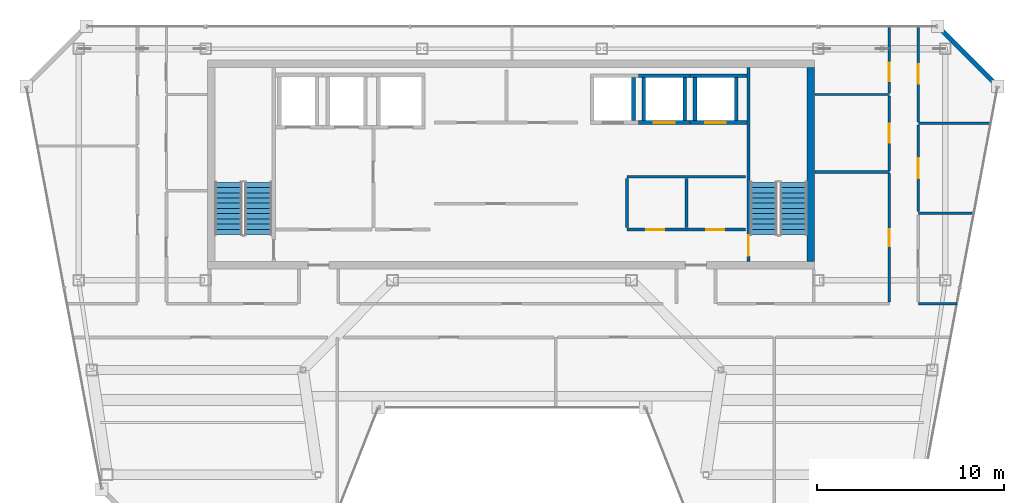
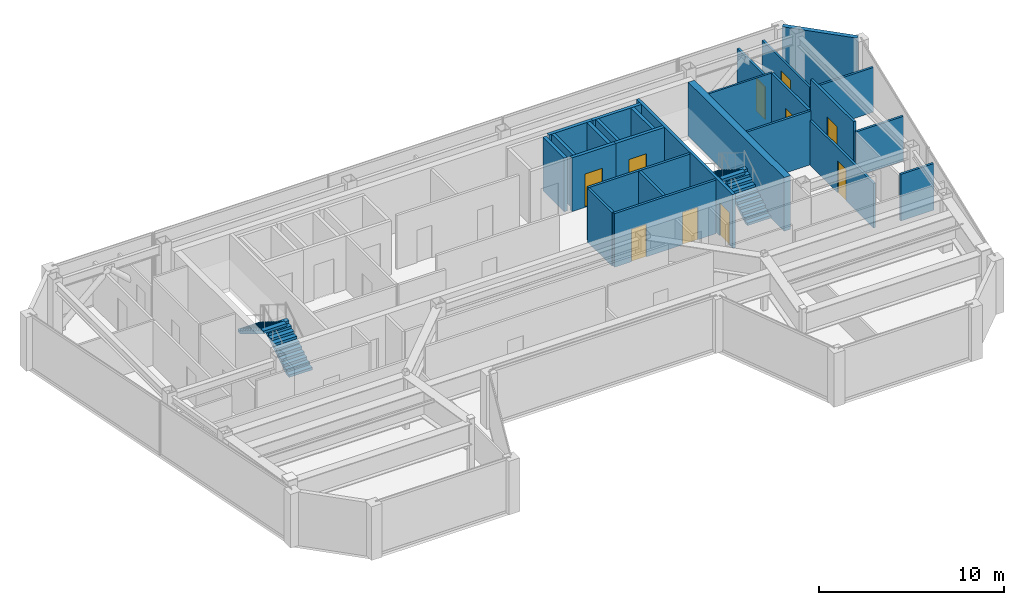
# One storey, part 21 of 23: 26 walls, 10 doors, 4 stair flights, 10 openings, 2 elements without a shape of their own.
"""IFC4 building model written with IfcOpenShell, lengths in metres."""

from ifc_helpers import new_model, si_unit, direction, frame, frame_2d, origin, place, context, subcontext, project, spatial, polyline, rectangle, outline, extrude, material, layer, layer_set, type_object, element, fill, aggregate, save


model = new_model("IFC4")

# Units and contexts
model_context = context("Model", 3, precision=1e-05, world=origin(), true_north=direction((0.0, 1.0)))
body_context = subcontext(model_context, "Body", "Model", "MODEL_VIEW")
ifc_project = project(units=[si_unit("LENGTHUNIT", "METRE"), si_unit("AREAUNIT", "SQUARE_METRE"), si_unit("VOLUMEUNIT", "CUBIC_METRE"), si_unit("PLANEANGLEUNIT", "RADIAN"), si_unit("MASSUNIT", "GRAM", prefix="KILO")], contexts=[model_context])

# Site, building, storey
site_placement = place(None, origin())
site = spatial("IfcSite", under=ifc_project, at=site_placement, CompositionType="ELEMENT")
building_placement = place(site_placement, origin())
building = spatial("IfcBuilding", under=site, at=building_placement, Name="Saevonmaru Cultural Tower", CompositionType="ELEMENT")
storey_placement = place(building_placement, frame((0.0, 0.0, 291.39990234375)))
storey = spatial("IfcBuildingStorey", under=building, at=storey_placement, Name="L69", CompositionType="ELEMENT", Elevation=291.39990234375)

# Wall
ifc_material_1 = material(Name="Concrete C50/60", Category="concrete")
ifc_layer_1 = layer(ifc_material_1, 0.39990234375, Name="Concrete C50/60")
ifc_layer_set_1 = layer_set([ifc_layer_1], Name="Concrete C50/60")
wall_type_1 = type_object("IfcWallType", Name="WL-CORE-400", PredefinedType="SHEAR", material=ifc_layer_set_1)
wall_1_placement = place(storey_placement, frame((46.0, 43.39990234375, 0.0), z_axis=(0.0, 0.0, 1.0), x_axis=(0.0, 1.0, 0.0)))
element("IfcWall", 1, at=wall_1_placement, inside=storey, type_object=wall_type_1, Name="L69 Tower RC core shear wall E", PredefinedType="SHEAR", context=body_context, shape_type="SweptSolid", body=[
    extrude(rectangle(XDim=10.400146484375, YDim=0.39990234375, at=frame_2d((5.2001953125, 0.0))), origin(), (0.0, 0.0, 1.0), 3.550048828125),
])

# Wall, openings, doors
ifc_material_2 = material(Name="Gypsum Fireboard Partition", Category="gypsum")
ifc_layer_2 = layer(ifc_material_2, 0.14990234375, Name="Gypsum Fireboard Partition")
ifc_layer_set_2 = layer_set([ifc_layer_2], Name="Gypsum Fireboard Partition")
wall_type_2 = type_object("IfcWallType", Name="WL-CORE-PART-150", PredefinedType="PARTITIONING", material=ifc_layer_set_2)
wall_2_placement = place(storey_placement, frame((36.14990234375, 45.1201171875, 0.0), z_axis=(0.0, 0.0, 1.0), x_axis=(1.0, 0.0, 0.0)))
wall_2 = element("IfcWall", 2, at=wall_2_placement, inside=storey, type_object=wall_type_2, Name="L69 Core Cluster South Wall", PredefinedType="PARTITIONING", context=body_context, shape_type="SweptSolid", body=[
    extrude(rectangle(XDim=6.35009765625, YDim=0.14990234375, at=frame_2d((3.175048828125, 0.0))), origin(), (0.0, 0.0, 1.0), 3.550048828125),
])
opening_1_placement = place(wall_2_placement, frame((1.050048828125, 0.0, 0.0)))
opening_1 = element("IfcOpeningElement", 3, at=opening_1_placement, cuts=wall_2, Name="Opening FD-4", PredefinedType="OPENING", context=body_context, shape_type="SweptSolid", body=[
    extrude(rectangle(XDim=0.949951171875, YDim=2.14990234375, at=frame_2d((0.47509765625, 1.074951171875))), frame((0.0, 0.0849609375, 0.0), z_axis=(0.0, -1.0, 0.0), x_axis=(1.0, 0.0, 0.0)), (0.0, 0.0, 1.0), 0.169921875),
])
opening_2_placement = place(wall_2_placement, frame((4.25, 0.0, 0.0)))
opening_2 = element("IfcOpeningElement", 4, at=opening_2_placement, cuts=wall_2, Name="Opening FD-4", PredefinedType="OPENING", context=body_context, shape_type="SweptSolid", body=[
    extrude(rectangle(XDim=0.949951171875, YDim=2.14990234375, at=frame_2d((0.47509765625, 1.074951171875))), frame((0.0, 0.0849609375, 0.0), z_axis=(0.0, -1.0, 0.0), x_axis=(1.0, 0.0, 0.0)), (0.0, 0.0, 1.0), 0.169921875),
])
ifc_material_3 = material(Name="Satin Bronze Anodised Aluminium", Category="aluminium")
door_type_1 = type_object("IfcDoorType", Name="DR-FD60-950", OperationType="SINGLE_SWING_LEFT", PredefinedType="DOOR", material=ifc_material_3)
door_1_placement = place(opening_1_placement, origin())
door_1 = element("IfcDoor", 5, at=door_1_placement, inside=storey, type_object=door_type_1, Name="L69 BMS Control Room Door", OperationType="SINGLE_SWING_LEFT", OverallHeight=2.14990234375, OverallWidth=0.949951171875, PredefinedType="DOOR", context=body_context, shape_type="SweptSolid", body=[
    extrude(rectangle(XDim=0.949951171875, YDim=2.14990234375, at=frame_2d((0.47509765625, 1.074951171875))), frame((0.0, 0.02490234375, 0.0), z_axis=(0.0, -1.0, 0.0), x_axis=(1.0, 0.0, 0.0)), (0.0, 0.0, 1.0), 0.050048828125),
])
fill(opening_1, door_1)
door_2_placement = place(opening_2_placement, origin())
door_2 = element("IfcDoor", 6, at=door_2_placement, inside=storey, type_object=door_type_1, Name="L69 Fibre Node Plant Door", OperationType="SINGLE_SWING_LEFT", OverallHeight=2.14990234375, OverallWidth=0.949951171875, PredefinedType="DOOR", context=body_context, shape_type="SweptSolid", body=[
    extrude(rectangle(XDim=0.949951171875, YDim=2.14990234375, at=frame_2d((0.47509765625, 1.074951171875))), frame((0.0, 0.02490234375, 0.0), z_axis=(0.0, -1.0, 0.0), x_axis=(1.0, 0.0, 0.0)), (0.0, 0.0, 1.0), 0.050048828125),
])
fill(opening_2, door_2)

# Walls
wall_3_placement = place(storey_placement, frame((36.14990234375, 47.949951171875, 0.0), z_axis=(0.0, 0.0, 1.0), x_axis=(1.0, 0.0, 0.0)))
element("IfcWall", 7, at=wall_3_placement, inside=storey, type_object=wall_type_2, Name="L69 Core Cluster North Wall", PredefinedType="PARTITIONING", context=body_context, shape_type="SweptSolid", body=[
    extrude(rectangle(XDim=6.35009765625, YDim=0.14990234375, at=frame_2d((3.175048828125, 0.0))), origin(), (0.0, 0.0, 1.0), 3.550048828125),
])
for number, where, z_axis, x_axis, name in (
    (8, (36.14990234375, 45.219970703125, 0.0), (0.0, 0.0, 1.0), (0.0, 1.0, 0.0), "L69 Core Cluster West Wall"),
    (9, (39.35009765625, 45.219970703125, 0.0), (0.0, 0.0, 1.0), (0.0, 1.0, 0.0), "L69 Core Cluster Inner Split"),
):
    element("IfcWall", number, at=place(storey_placement, frame(where, z_axis=z_axis, x_axis=x_axis)), inside=storey, type_object=wall_type_2, Name=name, PredefinedType="PARTITIONING", context=body_context, shape_type="SweptSolid", body=[
        extrude(rectangle(XDim=2.630126953125, YDim=0.14990234375, at=frame_2d((1.31494140625, 0.0))), origin(), (0.0, 0.0, 1.0), 3.550048828125),
    ])
ifc_material_4 = material(Name="Granite-Clad Precast Concrete C40/50", Category="masonry")
ifc_layer_3 = layer(ifc_material_4, 0.260009765625, Name="Granite-Clad Precast Concrete C40/50")
ifc_layer_set_3 = layer_set([ifc_layer_3], Name="Granite-Clad Precast Concrete C40/50")
wall_type_3 = type_object("IfcWallType", Name="WL-EXT-SPANDREL-260", PredefinedType="STANDARD", material=ifc_layer_set_3)
wall_4_placement = place(storey_placement, frame((55.886962890625, 52.9130859375, 0.0), z_axis=(0.0, 0.0, 1.0), x_axis=(-0.707106781187, 0.707106781187, 0.0)))
element("IfcWall", 10, at=wall_4_placement, inside=storey, type_object=wall_type_3, Name="L69 Chamfer Corner Spandrel Wall E9", PredefinedType="STANDARD", context=body_context, shape_type="SweptSolid", body=[
    extrude(rectangle(XDim=4.205810546875, YDim=0.260009765625, at=frame_2d((2.10302734375, 0.0))), origin(), (0.0, 0.0, 1.0), 3.550048828125),
])

# Wall, opening, door
ifc_layer_4 = layer(ifc_material_2, 0.14990234375, Name="Gypsum Fireboard Partition")
ifc_layer_set_4 = layer_set([ifc_layer_4], Name="Gypsum Fireboard Partition")
wall_type_4 = type_object("IfcWallType", Name="WL-PART-FIRE-150", PredefinedType="PARTITIONING", material=ifc_layer_set_4)
wall_5_placement = place(storey_placement, frame((50.199951171875, 48.2900390625, 0.0), z_axis=(0.0, 0.0, 1.0), x_axis=(0.0, 1.0, 0.0)))
wall_5 = element("IfcWall", 11, at=wall_5_placement, inside=storey, type_object=wall_type_4, Name="L69 Acoustic Chamber Auditorium Corridor Wall", PredefinedType="PARTITIONING", context=body_context, shape_type="SweptSolid", body=[
    extrude(rectangle(XDim=3.97998046875, YDim=0.14990234375, at=frame_2d((1.989990234375, 0.0))), origin(), (0.0, 0.0, 1.0), 3.550048828125),
])
opening_3_placement = place(wall_5_placement, frame((1.489990234375, 0.0, 0.0)))
opening_3 = element("IfcOpeningElement", 12, at=opening_3_placement, cuts=wall_5, Name="Opening ID-1B", PredefinedType="OPENING", context=body_context, shape_type="SweptSolid", body=[
    extrude(rectangle(XDim=1.0, YDim=2.14990234375, at=frame_2d((0.5, 1.074951171875))), frame((0.0, 0.0849609375, 0.0), z_axis=(0.0, -1.0, 0.0), x_axis=(1.0, 0.0, 0.0)), (0.0, 0.0, 1.0), 0.169921875),
])
ifc_material_5 = material(Name="Acoustic Stained Oak Timber", Category="wood")
door_type_2 = type_object("IfcDoorType", Name="DR-INT-1000", OperationType="SINGLE_SWING_RIGHT", PredefinedType="DOOR", material=ifc_material_5)
door_3_placement = place(opening_3_placement, origin())
door_3 = element("IfcDoor", 13, at=door_3_placement, inside=storey, type_object=door_type_2, Name="L69 Acoustic Chamber Auditorium Door", OperationType="SINGLE_SWING_LEFT", OverallHeight=2.14990234375, OverallWidth=1.0, PredefinedType="DOOR", context=body_context, shape_type="SweptSolid", body=[
    extrude(rectangle(XDim=1.0, YDim=2.14990234375, at=frame_2d((0.5, 1.074951171875))), frame((0.0, 0.02490234375, 0.0), z_axis=(0.0, -1.0, 0.0), x_axis=(1.0, 0.0, 0.0)), (0.0, 0.0, 1.0), 0.050048828125),
])
fill(opening_3, door_3)

wall_6_placement = place(storey_placement, frame((50.199951171875, 52.429931640625, 0.0), z_axis=(0.0, 0.0, 1.0), x_axis=(0.0, 1.0, 0.0)))
wall_6 = element("IfcWall", 14, at=wall_6_placement, inside=storey, type_object=wall_type_4, Name="L69 Sound Art Screening Auditorium Corridor Wall", PredefinedType="PARTITIONING", context=body_context, shape_type="SweptSolid", body=[
    extrude(rectangle(XDim=3.565185546875, YDim=0.14990234375, at=frame_2d((1.78271484375, 0.0))), origin(), (0.0, 0.0, 1.0), 2.93505859375),
])
opening_4_placement = place(wall_6_placement, frame((0.6220703125, 0.0, 0.0)))
opening_4 = element("IfcOpeningElement", 15, at=opening_4_placement, cuts=wall_6, Name="Opening ID-1B", PredefinedType="OPENING", context=body_context, shape_type="SweptSolid", body=[
    extrude(rectangle(XDim=1.0, YDim=2.14990234375, at=frame_2d((0.5, 1.074951171875))), frame((0.0, 0.0849609375, 0.0), z_axis=(0.0, -1.0, 0.0), x_axis=(1.0, 0.0, 0.0)), (0.0, 0.0, 1.0), 0.169921875),
])
door_4_placement = place(opening_4_placement, origin())
door_4 = element("IfcDoor", 16, at=door_4_placement, inside=storey, type_object=door_type_2, Name="L69 Sound Art Screening Auditorium Door", OperationType="SINGLE_SWING_RIGHT", OverallHeight=2.14990234375, OverallWidth=1.0, PredefinedType="DOOR", context=body_context, shape_type="SweptSolid", body=[
    extrude(rectangle(XDim=1.0, YDim=2.14990234375, at=frame_2d((0.5, 1.074951171875))), frame((0.0, 0.02490234375, 0.0), z_axis=(0.0, -1.0, 0.0), x_axis=(1.0, 0.0, 0.0)), (0.0, 0.0, 1.0), 0.050048828125),
])
fill(opening_4, door_4)

wall_7_placement = place(storey_placement, frame((51.75, 46.08740234375, 0.0), z_axis=(0.0, 0.0, 1.0), x_axis=(0.0, 1.0, 0.0)))
wall_7 = element("IfcWall", 17, at=wall_7_placement, inside=storey, type_object=wall_type_4, Name="L69 Sky Observatory Gallery Corridor Wall", PredefinedType="PARTITIONING", context=body_context, shape_type="SweptSolid", body=[
    extrude(rectangle(XDim=4.625, YDim=0.14990234375, at=frame_2d((2.3125, 0.0))), origin(), (0.0, 0.0, 1.0), 3.550048828125),
])
opening_5_placement = place(wall_7_placement, frame((1.7880859375, 0.0, 0.0)))
opening_5 = element("IfcOpeningElement", 18, at=opening_5_placement, cuts=wall_7, Name="Opening ID-1", PredefinedType="OPENING", context=body_context, shape_type="SweptSolid", body=[
    extrude(rectangle(XDim=1.050048828125, YDim=2.14990234375, at=frame_2d((0.52490234375, 1.074951171875))), frame((0.0, 0.0849609375, 0.0), z_axis=(0.0, -1.0, 0.0), x_axis=(1.0, 0.0, 0.0)), (0.0, 0.0, 1.0), 0.169921875),
])
door_type_3 = type_object("IfcDoorType", Name="DR-INT-1050", OperationType="SINGLE_SWING_LEFT", PredefinedType="DOOR", material=ifc_material_3)
door_5_placement = place(opening_5_placement, origin())
door_5 = element("IfcDoor", 19, at=door_5_placement, inside=storey, type_object=door_type_3, Name="L69 Sky Observatory Gallery Door", OperationType="SINGLE_SWING_LEFT", OverallHeight=2.14990234375, OverallWidth=1.050048828125, PredefinedType="DOOR", context=body_context, shape_type="SweptSolid", body=[
    extrude(rectangle(XDim=1.050048828125, YDim=2.14990234375, at=frame_2d((0.52490234375, 1.074951171875))), frame((0.0, 0.02490234375, 0.0), z_axis=(0.0, -1.0, 0.0), x_axis=(1.0, 0.0, 0.0)), (0.0, 0.0, 1.0), 0.050048828125),
])
fill(opening_5, door_5)

# Wall
ifc_layer_5 = layer(ifc_material_2, 0.1201171875, Name="Gypsum Fireboard Partition")
ifc_layer_set_5 = layer_set([ifc_layer_5], Name="Gypsum Fireboard Partition")
wall_type_5 = type_object("IfcWallType", Name="WL-PART-GYP-120", PredefinedType="PARTITIONING", material=ifc_layer_set_5)
wall_8_placement = place(storey_placement, frame((46.219970703125, 52.35009765625, 0.0), z_axis=(0.0, 0.0, 1.0), x_axis=(1.0, 0.0, 0.0)))
element("IfcWall", 20, at=wall_8_placement, inside=storey, type_object=wall_type_5, Name="L69 North-East Panorama South Wall", PredefinedType="PARTITIONING", context=body_context, shape_type="SweptSolid", body=[
    extrude(rectangle(XDim=3.97998046875, YDim=0.1201171875, at=frame_2d((1.989990234375, 0.0))), origin(), (0.0, 0.0, 1.0), 3.550048828125),
])

# Wall, opening, door
wall_9_placement = place(storey_placement, frame((51.75, 50.887451171875, 0.0), z_axis=(0.0, 0.0, 1.0), x_axis=(0.0, 1.0, 0.0)))
wall_9 = element("IfcWall", 21, at=wall_9_placement, inside=storey, type_object=wall_type_5, Name="L69 Panorama Reading Room Corridor Wall", PredefinedType="PARTITIONING", context=body_context, shape_type="SweptSolid", body=[
    extrude(rectangle(XDim=5.107666015625, YDim=0.1201171875, at=frame_2d((2.5537109375, 0.0))), origin(), (0.0, 0.0, 1.0), 2.93505859375),
])
opening_6_placement = place(wall_9_placement, frame((2.029052734375, 0.0, 0.0)))
opening_6 = element("IfcOpeningElement", 22, at=opening_6_placement, cuts=wall_9, Name="Opening ID-1", PredefinedType="OPENING", context=body_context, shape_type="SweptSolid", body=[
    extrude(rectangle(XDim=1.050048828125, YDim=2.14990234375, at=frame_2d((0.52490234375, 1.074951171875))), frame((0.0, 0.070068359375, 0.0), z_axis=(0.0, -1.0, 0.0), x_axis=(1.0, 0.0, 0.0)), (0.0, 0.0, 1.0), 0.14013671875),
])
door_6_placement = place(opening_6_placement, origin())
door_6 = element("IfcDoor", 23, at=door_6_placement, inside=storey, type_object=door_type_3, Name="L69 Panorama Reading Room Door", OperationType="SINGLE_SWING_RIGHT", OverallHeight=2.14990234375, OverallWidth=1.050048828125, PredefinedType="DOOR", context=body_context, shape_type="SweptSolid", body=[
    extrude(rectangle(XDim=1.050048828125, YDim=2.14990234375, at=frame_2d((0.52490234375, 1.074951171875))), frame((0.0, 0.02490234375, 0.0), z_axis=(0.0, -1.0, 0.0), x_axis=(1.0, 0.0, 0.0)), (0.0, 0.0, 1.0), 0.050048828125),
])
fill(opening_6, door_6)

# Walls
ifc_layer_6 = layer(ifc_material_2, 0.135009765625, Name="Gypsum Fireboard Partition")
ifc_layer_set_6 = layer_set([ifc_layer_6], Name="Gypsum Fireboard Partition")
wall_type_6 = type_object("IfcWallType", Name="WL-PART-GYP-135", PredefinedType="PARTITIONING", material=ifc_layer_set_6)
wall_10_placement = place(storey_placement, frame((51.75, 41.14990234375, 0.0), z_axis=(0.0, 0.0, 1.0), x_axis=(1.0, 0.0, 0.0)))
element("IfcWall", 24, at=wall_10_placement, inside=storey, type_object=wall_type_6, Name="L69 NE Wing South Wall", PredefinedType="PARTITIONING", context=body_context, shape_type="SweptSolid", body=[
    extrude(rectangle(XDim=2.063720703125, YDim=0.135009765625, at=frame_2d((1.03173828125, 0.0))), origin(), (0.0, 0.0, 1.0), 3.085205078125),
])
wall_11_placement = place(storey_placement, frame((51.75, 46.0, 0.0), z_axis=(0.0, 0.0, 1.0), x_axis=(1.0, 0.0, 0.0)))
element("IfcWall", 25, at=wall_11_placement, inside=storey, type_object=wall_type_6, Name="L69 NE Studio Divider 1", PredefinedType="PARTITIONING", context=body_context, shape_type="SweptSolid", body=[
    extrude(rectangle(XDim=2.9716796875, YDim=0.135009765625, at=frame_2d((1.48583984375, 0.0))), origin(), (0.0, 0.0, 1.0), 2.947021484375),
])
wall_12_placement = place(storey_placement, frame((51.75, 50.800048828125, 0.0), z_axis=(0.0, 0.0, 1.0), x_axis=(1.0, 0.0, 0.0)))
element("IfcWall", 26, at=wall_12_placement, inside=storey, type_object=wall_type_6, Name="L69 NE Studio Divider 2", PredefinedType="PARTITIONING", context=body_context, shape_type="SweptSolid", body=[
    extrude(rectangle(XDim=3.870361328125, YDim=0.135009765625, at=frame_2d((1.93505859375, 0.0))), origin(), (0.0, 0.0, 1.0), 2.947021484375),
])
ifc_layer_7 = layer(ifc_material_2, 0.139892578125, Name="Gypsum Fireboard Partition")
ifc_layer_set_7 = layer_set([ifc_layer_7], Name="Gypsum Fireboard Partition")
wall_type_7 = type_object("IfcWallType", Name="WL-PART-WET-140", PredefinedType="PARTITIONING", material=ifc_layer_set_7)
wall_13_placement = place(storey_placement, frame((46.219970703125, 48.199951171875, 0.0), z_axis=(0.0, 0.0, 1.0), x_axis=(1.0, 0.0, 0.0)))
element("IfcWall", 27, at=wall_13_placement, inside=storey, type_object=wall_type_7, Name="L69 Washroom North Wall", PredefinedType="PARTITIONING", context=body_context, shape_type="SweptSolid", body=[
    extrude(rectangle(XDim=3.97998046875, YDim=0.139892578125, at=frame_2d((1.989990234375, 0.0))), origin(), (0.0, 0.0, 1.0), 3.550048828125),
])

# Wall, opening, door
wall_14_placement = place(storey_placement, frame((50.199951171875, 41.239990234375, 0.0), z_axis=(0.0, 0.0, 1.0), x_axis=(0.0, 1.0, 0.0)))
wall_14 = element("IfcWall", 28, at=wall_14_placement, inside=storey, type_object=wall_type_7, Name="L69 Washroom Corridor Wall", PredefinedType="PARTITIONING", context=body_context, shape_type="SweptSolid", body=[
    extrude(rectangle(XDim=6.8701171875, YDim=0.139892578125, at=frame_2d((3.43505859375, 0.0))), origin(), (0.0, 0.0, 1.0), 2.947021484375),
])
opening_7_placement = place(wall_14_placement, frame((2.985107421875, 0.0, 0.0)))
opening_7 = element("IfcOpeningElement", 29, at=opening_7_placement, cuts=wall_14, Name="Opening ID-2", PredefinedType="OPENING", context=body_context, shape_type="SweptSolid", body=[
    extrude(rectangle(XDim=0.89990234375, YDim=2.10009765625, at=frame_2d((0.449951171875, 1.050048828125))), frame((0.0, 0.080078125, 0.0), z_axis=(0.0, -1.0, 0.0), x_axis=(1.0, 0.0, 0.0)), (0.0, 0.0, 1.0), 0.159912109375),
])
door_type_4 = type_object("IfcDoorType", Name="DR-INT-900", OperationType="SINGLE_SWING_RIGHT", PredefinedType="DOOR", material=ifc_material_5)
door_7_placement = place(opening_7_placement, origin())
door_7 = element("IfcDoor", 30, at=door_7_placement, inside=storey, type_object=door_type_4, Name="L69 Public Accessible Washrooms Door", OperationType="SINGLE_SWING_RIGHT", OverallHeight=2.10009765625, OverallWidth=0.89990234375, PredefinedType="DOOR", context=body_context, shape_type="SweptSolid", body=[
    extrude(rectangle(XDim=0.89990234375, YDim=2.10009765625, at=frame_2d((0.449951171875, 1.050048828125))), frame((0.0, 0.02490234375, 0.0), z_axis=(0.0, -1.0, 0.0), x_axis=(1.0, 0.0, 0.0)), (0.0, 0.0, 1.0), 0.050048828125),
])
fill(opening_7, door_7)

# Wall
ifc_material_6 = material(Name="Concrete C40/50", Category="concrete")
ifc_layer_8 = layer(ifc_material_6, 0.199951171875, Name="Concrete C40/50")
ifc_layer_set_8 = layer_set([ifc_layer_8], Name="Concrete C40/50")
wall_type_8 = type_object("IfcWallType", Name="WL-SHAFT-200", PredefinedType="SHEAR", material=ifc_layer_set_8)
wall_15_placement = place(storey_placement, frame((36.5, 50.949951171875, 0.0), z_axis=(0.0, 0.0, 1.0), x_axis=(0.0, 1.0, 0.0)))
element("IfcWall", 31, at=wall_15_placement, inside=storey, type_object=wall_type_8, Name="L69 Lift PL-H1 Hoistway Wall E", PredefinedType="SHEAR", context=body_context, shape_type="SweptSolid", body=[
    extrude(rectangle(XDim=2.300048828125, YDim=0.199951171875, at=frame_2d((1.14990234375, 0.0))), origin(), (0.0, 0.0, 1.0), 3.550048828125),
])

# Wall, opening, door
wall_16_placement = place(storey_placement, frame((36.77490234375, 50.85009765625, 0.0), z_axis=(0.0, 0.0, 1.0), x_axis=(1.0, 0.0, 0.0)))
wall_16 = element("IfcWall", 32, at=wall_16_placement, inside=storey, type_object=wall_type_8, Name="L69 Lift PL-H2 Hoistway Wall S", PredefinedType="SHEAR", context=body_context, shape_type="SweptSolid", body=[
    extrude(rectangle(XDim=2.75, YDim=0.199951171875, at=frame_2d((1.375, 0.0))), origin(), (0.0, 0.0, 1.0), 3.550048828125),
])
opening_8_placement = place(wall_16_placement, frame((0.824951171875, 0.0, 0.0)))
opening_8 = element("IfcOpeningElement", 33, at=opening_8_placement, cuts=wall_16, Name="Opening LD-1", PredefinedType="OPENING", context=body_context, shape_type="SweptSolid", body=[
    extrude(rectangle(XDim=1.10009765625, YDim=2.199951171875, at=frame_2d((0.550048828125, 1.10009765625))), frame((0.0, 0.10986328125, 0.0), z_axis=(0.0, -1.0, 0.0), x_axis=(1.0, 0.0, 0.0)), (0.0, 0.0, 1.0), 0.219970703125),
])
ifc_material_7 = material(Name="Satin Bronze Stainless Steel", Category="steel")
door_type_5 = type_object("IfcDoorType", Name="DR-LIFT-1100", OperationType="SLIDING_TO_LEFT", PredefinedType="DOOR", material=ifc_material_7)
door_8_placement = place(opening_8_placement, origin())
door_8 = element("IfcDoor", 34, at=door_8_placement, inside=storey, type_object=door_type_5, Name="L69 Lift PL-H2 Sliding Landing Door", OperationType="SLIDING_TO_LEFT", OverallHeight=2.199951171875, OverallWidth=1.10009765625, PredefinedType="DOOR", context=body_context, shape_type="SweptSolid", body=[
    extrude(rectangle(XDim=1.10009765625, YDim=2.199951171875, at=frame_2d((0.550048828125, 1.10009765625))), frame((0.0, 0.02490234375, 0.0), z_axis=(0.0, -1.0, 0.0), x_axis=(1.0, 0.0, 0.0)), (0.0, 0.0, 1.0), 0.050048828125),
])
fill(opening_8, door_8)

# Walls
wall_17_placement = place(storey_placement, frame((36.77490234375, 53.35009765625, 0.0), z_axis=(0.0, 0.0, 1.0), x_axis=(1.0, 0.0, 0.0)))
element("IfcWall", 35, at=wall_17_placement, inside=storey, type_object=wall_type_8, Name="L69 Lift PL-H2 Hoistway Wall N", PredefinedType="SHEAR", context=body_context, shape_type="SweptSolid", body=[
    extrude(rectangle(XDim=2.75, YDim=0.199951171875, at=frame_2d((1.375, 0.0))), origin(), (0.0, 0.0, 1.0), 3.550048828125),
])
for number, where, z_axis, x_axis, name in (
    (36, (37.050048828125, 50.949951171875, 0.0), (0.0, 0.0, 1.0), (0.0, 1.0, 0.0), "L69 Lift PL-H2 Hoistway Wall W"),
    (37, (39.25, 50.949951171875, 0.0), (0.0, 0.0, 1.0), (0.0, 1.0, 0.0), "L69 Lift PL-H2 Hoistway Wall E"),
):
    element("IfcWall", number, at=place(storey_placement, frame(where, z_axis=z_axis, x_axis=x_axis)), inside=storey, type_object=wall_type_8, Name=name, PredefinedType="SHEAR", context=body_context, shape_type="SweptSolid", body=[
        extrude(rectangle(XDim=2.300048828125, YDim=0.199951171875, at=frame_2d((1.14990234375, 0.0))), origin(), (0.0, 0.0, 1.0), 3.550048828125),
    ])

# Wall, opening, door
wall_18_placement = place(storey_placement, frame((39.52490234375, 50.85009765625, 0.0), z_axis=(0.0, 0.0, 1.0), x_axis=(1.0, 0.0, 0.0)))
wall_18 = element("IfcWall", 38, at=wall_18_placement, inside=storey, type_object=wall_type_8, Name="L69 Lift PL-H3 Hoistway Wall S", PredefinedType="SHEAR", context=body_context, shape_type="SweptSolid", body=[
    extrude(rectangle(XDim=3.045166015625, YDim=0.199951171875, at=frame_2d((1.5224609375, 0.0))), origin(), (0.0, 0.0, 1.0), 3.550048828125),
])
opening_9_placement = place(wall_18_placement, frame((0.824951171875, 0.0, 0.0)))
opening_9 = element("IfcOpeningElement", 39, at=opening_9_placement, cuts=wall_18, Name="Opening LD-1", PredefinedType="OPENING", context=body_context, shape_type="SweptSolid", body=[
    extrude(rectangle(XDim=1.10009765625, YDim=2.199951171875, at=frame_2d((0.550048828125, 1.10009765625))), frame((0.0, 0.10986328125, 0.0), z_axis=(0.0, -1.0, 0.0), x_axis=(1.0, 0.0, 0.0)), (0.0, 0.0, 1.0), 0.219970703125),
])
door_9_placement = place(opening_9_placement, origin())
door_9 = element("IfcDoor", 40, at=door_9_placement, inside=storey, type_object=door_type_5, Name="L69 Lift PL-H3 Sliding Landing Door", OperationType="SLIDING_TO_LEFT", OverallHeight=2.199951171875, OverallWidth=1.10009765625, PredefinedType="DOOR", context=body_context, shape_type="SweptSolid", body=[
    extrude(rectangle(XDim=1.10009765625, YDim=2.199951171875, at=frame_2d((0.550048828125, 1.10009765625))), frame((0.0, 0.02490234375, 0.0), z_axis=(0.0, -1.0, 0.0), x_axis=(1.0, 0.0, 0.0)), (0.0, 0.0, 1.0), 0.050048828125),
])
fill(opening_9, door_9)

# Walls
wall_19_placement = place(storey_placement, frame((39.52490234375, 53.35009765625, 0.0), z_axis=(0.0, 0.0, 1.0), x_axis=(1.0, 0.0, 0.0)))
element("IfcWall", 41, at=wall_19_placement, inside=storey, type_object=wall_type_8, Name="L69 Lift PL-H3 Hoistway Wall N", PredefinedType="SHEAR", context=body_context, shape_type="SweptSolid", body=[
    extrude(rectangle(XDim=3.045166015625, YDim=0.199951171875, at=frame_2d((1.5224609375, 0.0))), origin(), (0.0, 0.0, 1.0), 3.550048828125),
])
for number, where, z_axis, x_axis, name in (
    (42, (39.800048828125, 50.949951171875, 0.0), (0.0, 0.0, 1.0), (0.0, 1.0, 0.0), "L69 Lift PL-H3 Hoistway Wall W"),
    (43, (42.0, 50.949951171875, 0.0), (0.0, 0.0, 1.0), (0.0, 1.0, 0.0), "L69 Lift PL-H3 Hoistway Wall E"),
):
    element("IfcWall", number, at=place(storey_placement, frame(where, z_axis=z_axis, x_axis=x_axis)), inside=storey, type_object=wall_type_8, Name=name, PredefinedType="SHEAR", context=body_context, shape_type="SweptSolid", body=[
        extrude(rectangle(XDim=2.300048828125, YDim=0.199951171875, at=frame_2d((1.14990234375, 0.0))), origin(), (0.0, 0.0, 1.0), 3.550048828125),
    ])

# Wall, opening, door
ifc_layer_9 = layer(ifc_material_6, 0.179931640625, Name="Concrete C40/50")
ifc_layer_set_9 = layer_set([ifc_layer_9], Name="Concrete C40/50")
wall_type_9 = type_object("IfcWallType", Name="WL-STSHAFT-180", PredefinedType="SHEAR", material=ifc_layer_set_9)
wall_20_placement = place(storey_placement, frame((42.659912109375, 53.800048828125, 0.0), z_axis=(0.0, 0.0, 1.0), x_axis=(0.0, -1.0, 0.0)))
wall_20 = element("IfcWall", 44, at=wall_20_placement, inside=storey, type_object=wall_type_9, Name="L69 Stair ST-2 Structural Shaft Wall 1", PredefinedType="SHEAR", context=body_context, shape_type="SweptSolid", body=[
    extrude(rectangle(XDim=10.400146484375, YDim=0.179931640625, at=frame_2d((5.2001953125, 0.0))), origin(), (0.0, 0.0, 1.0), 3.550048828125),
])
opening_10_placement = place(wall_20_placement, frame((8.989990234375, 0.0, 0.0)))
opening_10 = element("IfcOpeningElement", 45, at=opening_10_placement, cuts=wall_20, Name="Opening FD-2", PredefinedType="OPENING", context=body_context, shape_type="SweptSolid", body=[
    extrude(rectangle(XDim=1.10009765625, YDim=2.14990234375, at=frame_2d((0.550048828125, 1.074951171875))), frame((0.0, 0.10009765625, 0.0), z_axis=(0.0, -1.0, 0.0), x_axis=(1.0, 0.0, 0.0)), (0.0, 0.0, 1.0), 0.199951171875),
])
door_type_6 = type_object("IfcDoorType", Name="DR-FD60-1100", OperationType="SINGLE_SWING_LEFT", PredefinedType="DOOR", material=ifc_material_3)
door_10_placement = place(opening_10_placement, origin())
door_10 = element("IfcDoor", 46, at=door_10_placement, inside=storey, type_object=door_type_6, Name="L69 Protected Stair ST-2 Fire Door", OperationType="SINGLE_SWING_LEFT", OverallHeight=2.14990234375, OverallWidth=1.10009765625, PredefinedType="DOOR", context=body_context, shape_type="SweptSolid", body=[
    extrude(rectangle(XDim=1.10009765625, YDim=2.14990234375, at=frame_2d((0.550048828125, 1.074951171875))), frame((0.0, 0.02490234375, 0.0), z_axis=(0.0, -1.0, 0.0), x_axis=(1.0, 0.0, 0.0)), (0.0, 0.0, 1.0), 0.050048828125),
])
fill(opening_10, door_10)

# Stair, stair flights
stair_type = type_object("IfcStairType", Name="STR-DOGLEG-RC", PredefinedType="HALF_TURN_STAIR", material=ifc_material_6)
stair_1_placement = place(storey_placement, origin())
stair_1 = element("IfcStair", 47, at=stair_1_placement, inside=storey, type_object=stair_type, Name="L69 Protected exit stair ST-1", PredefinedType="HALF_TURN_STAIR")
ifc_material_8 = material(Name="Precast concrete C40/50", Category="concrete")
stair_flight_type = type_object("IfcStairFlightType", Name="STF-PRECAST-180", PredefinedType="STRAIGHT", material=ifc_material_8)
stair_flight_1_placement = place(storey_placement, frame((16.425048828125, 44.85009765625, 0.0), z_axis=(0.0, 0.0, 1.0), x_axis=(0.0, 1.0, 0.0)))
stair_flight_1 = element("IfcStairFlight", 48, at=stair_flight_1_placement, type_object=stair_flight_type, Name="ST-1-L69 flight 1", NumberOfRisers=11, NumberOfTreads=10, PredefinedType="STRAIGHT", RiserHeight=0.172727273, TreadLength=0.28, context=body_context, shape_type="SweptSolid", body=[
    extrude(outline(polyline([(0.0, 0.0), (0.0, 0.172607421875), (0.280029296875, 0.172607421875), (0.280029296875, 0.345458984375), (0.56005859375, 0.345458984375), (0.56005859375, 0.51806640625), (0.840087890625, 0.51806640625), (0.840087890625, 0.69091796875), (1.1201171875, 0.69091796875), (1.1201171875, 0.863525390625), (1.39990234375, 0.863525390625), (1.39990234375, 1.036376953125), (1.679931640625, 1.036376953125), (1.679931640625, 1.208984375), (1.9599609375, 1.208984375), (1.9599609375, 1.3818359375), (2.239990234375, 1.3818359375), (2.239990234375, 1.554443359375), (2.52001953125, 1.554443359375), (2.52001953125, 1.727294921875), (2.800048828125, 1.727294921875), (2.800048828125, 1.89990234375), (2.800048828125, 1.551025390625), (0.285400390625, 0.0), (0.0, 0.0)])), frame((0.0, 0.72509765625, 0.0), z_axis=(0.0, -1.0, 0.0), x_axis=(1.0, 0.0, 0.0)), (0.0, 0.0, 1.0), 1.449951171875),
])
stair_flight_2_placement = place(storey_placement, frame((14.824951171875, 47.64990234375, 1.900146484375), z_axis=(0.0, 0.0, 1.0), x_axis=(0.0, -1.0, 0.0)))
stair_flight_2 = element("IfcStairFlight", 49, at=stair_flight_2_placement, type_object=stair_flight_type, Name="ST-1-L69 flight 2", NumberOfRisers=11, NumberOfTreads=10, PredefinedType="STRAIGHT", RiserHeight=0.172727273, TreadLength=0.28, context=body_context, shape_type="SweptSolid", body=[
    extrude(outline(polyline([(0.0, 0.0), (0.0, 0.172607421875), (0.280029296875, 0.172607421875), (0.280029296875, 0.345458984375), (0.56005859375, 0.345458984375), (0.56005859375, 0.51806640625), (0.840087890625, 0.51806640625), (0.840087890625, 0.69091796875), (1.1201171875, 0.69091796875), (1.1201171875, 0.863525390625), (1.39990234375, 0.863525390625), (1.39990234375, 1.036376953125), (1.679931640625, 1.036376953125), (1.679931640625, 1.208984375), (1.9599609375, 1.208984375), (1.9599609375, 1.3818359375), (2.239990234375, 1.3818359375), (2.239990234375, 1.554443359375), (2.52001953125, 1.554443359375), (2.52001953125, 1.727294921875), (2.800048828125, 1.727294921875), (2.800048828125, 1.89990234375), (2.800048828125, 1.551025390625), (0.285400390625, 0.0), (0.0, 0.0)])), frame((0.0, 0.72509765625, 0.0), z_axis=(0.0, -1.0, 0.0), x_axis=(1.0, 0.0, 0.0)), (0.0, 0.0, 1.0), 1.449951171875),
])
aggregate(stair_1, [stair_flight_1, stair_flight_2])

stair_2_placement = place(storey_placement, origin())
stair_2 = element("IfcStair", 50, at=stair_2_placement, inside=storey, type_object=stair_type, Name="L69 Protected exit stair ST-2", PredefinedType="HALF_TURN_STAIR")
stair_flight_3_placement = place(storey_placement, frame((45.074951171875, 44.85009765625, 0.0), z_axis=(0.0, 0.0, 1.0), x_axis=(0.0, 1.0, 0.0)))
stair_flight_3 = element("IfcStairFlight", 51, at=stair_flight_3_placement, type_object=stair_flight_type, Name="ST-2-L69 flight 1", NumberOfRisers=11, NumberOfTreads=10, PredefinedType="STRAIGHT", RiserHeight=0.172727273, TreadLength=0.28, context=body_context, shape_type="SweptSolid", body=[
    extrude(outline(polyline([(0.0, 0.0), (0.0, 0.172607421875), (0.280029296875, 0.172607421875), (0.280029296875, 0.345458984375), (0.56005859375, 0.345458984375), (0.56005859375, 0.51806640625), (0.840087890625, 0.51806640625), (0.840087890625, 0.69091796875), (1.1201171875, 0.69091796875), (1.1201171875, 0.863525390625), (1.39990234375, 0.863525390625), (1.39990234375, 1.036376953125), (1.679931640625, 1.036376953125), (1.679931640625, 1.208984375), (1.9599609375, 1.208984375), (1.9599609375, 1.3818359375), (2.239990234375, 1.3818359375), (2.239990234375, 1.554443359375), (2.52001953125, 1.554443359375), (2.52001953125, 1.727294921875), (2.800048828125, 1.727294921875), (2.800048828125, 1.89990234375), (2.800048828125, 1.551025390625), (0.285400390625, 0.0), (0.0, 0.0)])), frame((0.0, 0.72509765625, 0.0), z_axis=(0.0, -1.0, 0.0), x_axis=(1.0, 0.0, 0.0)), (0.0, 0.0, 1.0), 1.449951171875),
])
stair_flight_4_placement = place(storey_placement, frame((43.47509765625, 47.64990234375, 1.900146484375), z_axis=(0.0, 0.0, 1.0), x_axis=(0.0, -1.0, 0.0)))
stair_flight_4 = element("IfcStairFlight", 52, at=stair_flight_4_placement, type_object=stair_flight_type, Name="ST-2-L69 flight 2", NumberOfRisers=11, NumberOfTreads=10, PredefinedType="STRAIGHT", RiserHeight=0.172727273, TreadLength=0.28, context=body_context, shape_type="SweptSolid", body=[
    extrude(outline(polyline([(0.0, 0.0), (0.0, 0.172607421875), (0.280029296875, 0.172607421875), (0.280029296875, 0.345458984375), (0.56005859375, 0.345458984375), (0.56005859375, 0.51806640625), (0.840087890625, 0.51806640625), (0.840087890625, 0.69091796875), (1.1201171875, 0.69091796875), (1.1201171875, 0.863525390625), (1.39990234375, 0.863525390625), (1.39990234375, 1.036376953125), (1.679931640625, 1.036376953125), (1.679931640625, 1.208984375), (1.9599609375, 1.208984375), (1.9599609375, 1.3818359375), (2.239990234375, 1.3818359375), (2.239990234375, 1.554443359375), (2.52001953125, 1.554443359375), (2.52001953125, 1.727294921875), (2.800048828125, 1.727294921875), (2.800048828125, 1.89990234375), (2.800048828125, 1.551025390625), (0.285400390625, 0.0), (0.0, 0.0)])), frame((0.0, 0.72509765625, 0.0), z_axis=(0.0, -1.0, 0.0), x_axis=(1.0, 0.0, 0.0)), (0.0, 0.0, 1.0), 1.449951171875),
])
aggregate(stair_2, [stair_flight_3, stair_flight_4])

save(model, "model.ifc")
